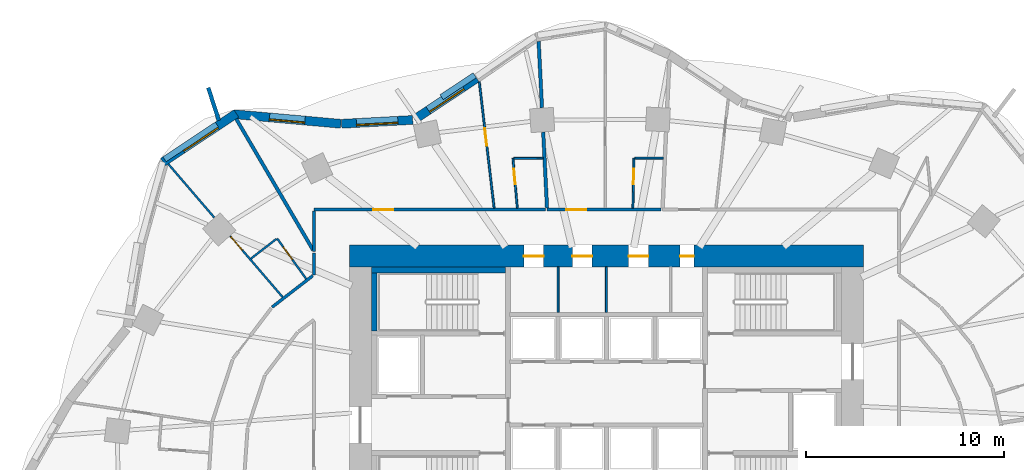
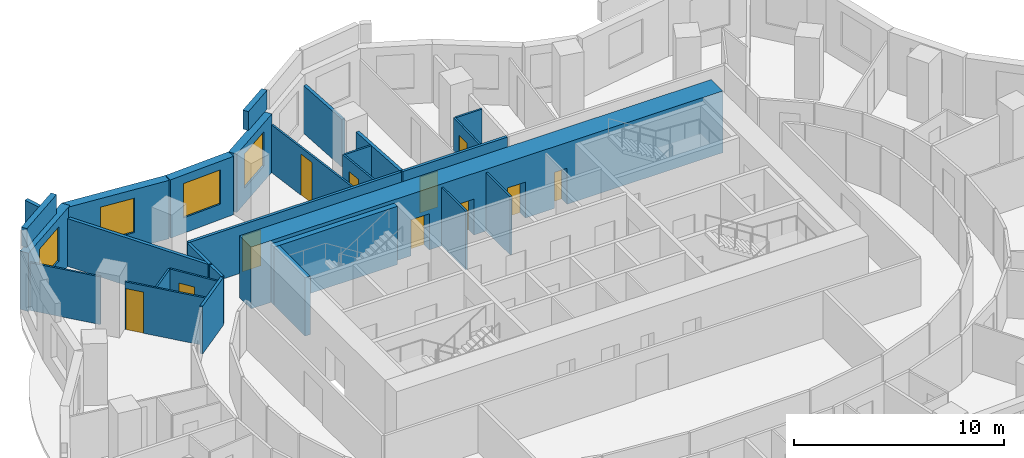
# One storey, part 8 of 11: 29 walls, 11 doors, 4 windows, 15 openings.
"""IFC4 building model written with IfcOpenShell, lengths in metres."""

from ifc_helpers import new_model, si_unit, direction, frame, frame_2d, origin, place, context, subcontext, project, spatial, rectangle, extrude, material, layer, layer_set, type_object, element, fill, save


model = new_model("IFC4")

# Units and contexts
model_context = context("Model", 3, precision=1e-05, world=origin(), true_north=direction((0.0, 1.0)))
body_context = subcontext(model_context, "Body", "Model", "MODEL_VIEW")
ifc_project = project(units=[si_unit("LENGTHUNIT", "METRE"), si_unit("AREAUNIT", "SQUARE_METRE"), si_unit("VOLUMEUNIT", "CUBIC_METRE"), si_unit("PLANEANGLEUNIT", "RADIAN"), si_unit("MASSUNIT", "GRAM", prefix="KILO")], contexts=[model_context])

# Site, building, storey
site_placement = place(None, origin())
site = spatial("IfcSite", under=ifc_project, at=site_placement, CompositionType="ELEMENT")
building_placement = place(site_placement, origin())
building = spatial("IfcBuilding", under=site, at=building_placement, Name="Rubra Terraces Tower", CompositionType="ELEMENT")
storey_placement = place(building_placement, frame((0.0, 0.0, 81.60009765625)))
storey = spatial("IfcBuildingStorey", under=building, at=storey_placement, Name="L18", CompositionType="ELEMENT", Elevation=81.60009765625)

# Walls
ifc_material_1 = material(Name="Twin plasterboard on staggered steel stud, acoustic mineral wool", Category="steel")
ifc_layer_1 = layer(ifc_material_1, 0.175048828125)
ifc_layer_set_1 = layer_set([ifc_layer_1], Name="Twin plasterboard on staggered steel stud, acoustic mineral wool")
wall_type_1 = type_object("IfcWallType", Name="ACOUSTIC PARTY WALL 175", PredefinedType="PARTITIONING", material=ifc_layer_set_1)
wall_1_placement = place(storey_placement, frame((-3.432861328125, 22.313232421875, 0.0), z_axis=(0.0, 0.0, 1.0), x_axis=(0.05046925348, -0.998725615198, 0.0)))
element("IfcWall", 1, at=wall_1_placement, inside=storey, type_object=wall_type_1, Name="PARTITION", PredefinedType="PARTITIONING", context=body_context, shape_type="SweptSolid", body=[
    extrude(rectangle(XDim=3.366943359375, YDim=0.175048828125, at=frame_2d((1.68359375, 0.0))), origin(), (0.0, 0.0, 1.0), 2.783935546875),
])
wall_2_placement = place(storey_placement, frame((-3.200439453125, 17.712158203125, 0.0), z_axis=(0.0, 0.0, 1.0), x_axis=(0.050454205139, -0.998726375532, 0.0)))
element("IfcWall", 2, at=wall_2_placement, inside=storey, type_object=wall_type_1, Name="PARTITION", PredefinedType="PARTITIONING", context=body_context, shape_type="SweptSolid", body=[
    extrude(rectangle(XDim=3.842041015625, YDim=0.175048828125, at=frame_2d((1.9208984375, 0.0))), origin(), (0.0, 0.0, 1.0), 2.783935546875),
])
wall_3_placement = place(storey_placement, frame((-18.730224609375, 18.383544921875, 0.0), z_axis=(0.0, 0.0, 1.0), x_axis=(0.505731710935, -0.862690811679, 0.0)))
element("IfcWall", 3, at=wall_3_placement, inside=storey, type_object=wall_type_1, Name="PARTITION", PredefinedType="PARTITIONING", context=body_context, shape_type="SweptSolid", body=[
    extrude(rectangle(XDim=7.696533203125, YDim=0.175048828125, at=frame_2d((3.84814453125, 0.0))), origin(), (0.0, 0.0, 1.0), 2.783935546875),
])

# Wall, opening, window
ifc_material_2 = material(Name="Brick masonry red-brown", Category="masonry")
ifc_layer_2 = layer(ifc_material_2, 0.449951171875)
ifc_layer_set_2 = layer_set([ifc_layer_2], Name="Brick masonry red-brown")
wall_type_2 = type_object("IfcWallType", Name="Brick facade wall 450", PredefinedType="SOLIDWALL", material=ifc_layer_set_2)
wall_4_placement = place(storey_placement, frame((-6.568115234375, 20.44140625, 0.0), z_axis=(0.0, 0.0, 1.0), x_axis=(-0.834034214531, -0.551712723246, 0.0)))
wall_4 = element("IfcWall", 4, at=wall_4_placement, inside=storey, type_object=wall_type_2, Name="Facade wall L18 bay 13", PredefinedType="SOLIDWALL", context=body_context, shape_type="SweptSolid", body=[
    extrude(rectangle(XDim=3.75732421875, YDim=0.449951171875, at=frame_2d((1.878662109375, 0.0))), origin(), (0.0, 0.0, 1.0), 3.39990234375),
])
opening_1_placement = place(wall_4_placement, frame((0.82861328125, 0.0, 0.89990234375)))
opening_1 = element("IfcOpeningElement", 5, at=opening_1_placement, cuts=wall_4, Name="Opening W1", PredefinedType="OPENING", context=body_context, shape_type="SweptSolid", body=[
    extrude(rectangle(XDim=2.10009765625, YDim=2.0, at=frame_2d((1.050048828125, 1.0))), frame((0.0, 0.23486328125, 0.0), z_axis=(0.0, -1.0, 0.0), x_axis=(1.0, 0.0, 0.0)), (0.0, 0.0, 1.0), 0.469970703125),
])
ifc_material_3 = material(Name="Clear glass in aluminium frame", Category="aluminium")
window_type_1 = type_object("IfcWindowType", Name="Fixed deep-set window 2100 x 2000", PartitioningType="SINGLE_PANEL", PredefinedType="WINDOW", material=ifc_material_3)
window_1_placement = place(opening_1_placement, origin())
window_1 = element("IfcWindow", 6, at=window_1_placement, inside=storey, type_object=window_type_1, Name="Window L18 bay 13", OverallHeight=2.0, OverallWidth=2.10009765625, PartitioningType="SINGLE_PANEL", PredefinedType="WINDOW", context=body_context, shape_type="SweptSolid", body=[
    extrude(rectangle(XDim=2.10009765625, YDim=2.0, at=frame_2d((1.050048828125, 1.0))), frame((0.0, 0.135009765625, 0.0), z_axis=(0.0, -1.0, 0.0), x_axis=(1.0, 0.0, 0.0)), (0.0, 0.0, 1.0), 0.06005859375),
])
fill(opening_1, window_1)

wall_5_placement = place(storey_placement, frame((-9.80322265625, 18.333740234375, 0.0), z_axis=(0.0, 0.0, 1.0), x_axis=(-0.998525941495, -0.054276552602, 0.0)))
wall_5 = element("IfcWall", 7, at=wall_5_placement, inside=storey, type_object=wall_type_2, Name="Facade wall L18 bay 14", PredefinedType="SOLIDWALL", context=body_context, shape_type="SweptSolid", body=[
    extrude(rectangle(XDim=3.60302734375, YDim=0.449951171875, at=frame_2d((1.801513671875, 0.0))), origin(), (0.0, 0.0, 1.0), 3.39990234375),
])
opening_2_placement = place(wall_5_placement, frame((0.75146484375, 0.0, 0.89990234375)))
opening_2 = element("IfcOpeningElement", 8, at=opening_2_placement, cuts=wall_5, Name="Opening W1", PredefinedType="OPENING", context=body_context, shape_type="SweptSolid", body=[
    extrude(rectangle(XDim=2.10009765625, YDim=2.0, at=frame_2d((1.050048828125, 1.0))), frame((0.0, 0.23486328125, 0.0), z_axis=(0.0, -1.0, 0.0), x_axis=(1.0, 0.0, 0.0)), (0.0, 0.0, 1.0), 0.469970703125),
])
window_2_placement = place(opening_2_placement, origin())
window_2 = element("IfcWindow", 9, at=window_2_placement, inside=storey, type_object=window_type_1, Name="Window L18 bay 14", OverallHeight=2.0, OverallWidth=2.10009765625, PartitioningType="SINGLE_PANEL", PredefinedType="WINDOW", context=body_context, shape_type="SweptSolid", body=[
    extrude(rectangle(XDim=2.10009765625, YDim=2.0, at=frame_2d((1.050048828125, 1.0))), frame((0.0, 0.135009765625, 0.0), z_axis=(0.0, -1.0, 0.0), x_axis=(1.0, 0.0, 0.0)), (0.0, 0.0, 1.0), 0.06005859375),
])
fill(opening_2, window_2)

wall_6_placement = place(storey_placement, frame((-13.435791015625, 18.1376953125, 0.0), z_axis=(0.0, 0.0, 1.0), x_axis=(-0.99598810213, 0.089485755376, 0.0)))
wall_6 = element("IfcWall", 10, at=wall_6_placement, inside=storey, type_object=wall_type_2, Name="Facade wall L18 bay 15", PredefinedType="SOLIDWALL", context=body_context, shape_type="SweptSolid", body=[
    extrude(rectangle(XDim=5.451171875, YDim=0.449951171875, at=frame_2d((2.7255859375, 0.0))), origin(), (0.0, 0.0, 1.0), 3.39990234375),
])
opening_3_placement = place(wall_6_placement, frame((1.825439453125, 0.0, 0.89990234375)))
opening_3 = element("IfcOpeningElement", 11, at=opening_3_placement, cuts=wall_6, Name="Opening W6", PredefinedType="OPENING", context=body_context, shape_type="SweptSolid", body=[
    extrude(rectangle(XDim=1.800048828125, YDim=2.0, at=frame_2d((0.89990234375, 1.0))), frame((0.0, 0.23486328125, 0.0), z_axis=(0.0, -1.0, 0.0), x_axis=(1.0, 0.0, 0.0)), (0.0, 0.0, 1.0), 0.469970703125),
])
window_type_2 = type_object("IfcWindowType", Name="Fixed deep-set window at wind fin 1800 x 2000", PartitioningType="SINGLE_PANEL", PredefinedType="WINDOW", material=ifc_material_3)
window_3_placement = place(opening_3_placement, origin())
window_3 = element("IfcWindow", 12, at=window_3_placement, inside=storey, type_object=window_type_2, Name="Window L18 bay 15", OverallHeight=2.0, OverallWidth=1.800048828125, PartitioningType="SINGLE_PANEL", PredefinedType="WINDOW", context=body_context, shape_type="SweptSolid", body=[
    extrude(rectangle(XDim=1.800048828125, YDim=2.0, at=frame_2d((0.89990234375, 1.0))), frame((0.0, 0.135009765625, 0.0), z_axis=(0.0, -1.0, 0.0), x_axis=(1.0, 0.0, 0.0)), (0.0, 0.0, 1.0), 0.06005859375),
])
fill(opening_3, window_3)

wall_7_placement = place(storey_placement, frame((-18.7255859375, 18.66259765625, 0.0), z_axis=(0.0, 0.0, 1.0), x_axis=(-0.83333921474, -0.552761931736, 0.0)))
wall_7 = element("IfcWall", 13, at=wall_7_placement, inside=storey, type_object=wall_type_2, Name="Facade wall L18 bay 16", PredefinedType="SOLIDWALL", context=body_context, shape_type="SweptSolid", body=[
    extrude(rectangle(XDim=4.45068359375, YDim=0.449951171875, at=frame_2d((2.225341796875, 0.0))), origin(), (0.0, 0.0, 1.0), 3.39990234375),
])
opening_4_placement = place(wall_7_placement, frame((1.17529296875, 0.0, 0.89990234375)))
opening_4 = element("IfcOpeningElement", 14, at=opening_4_placement, cuts=wall_7, Name="Opening W1", PredefinedType="OPENING", context=body_context, shape_type="SweptSolid", body=[
    extrude(rectangle(XDim=2.10009765625, YDim=2.0, at=frame_2d((1.050048828125, 1.0))), frame((0.0, 0.23486328125, 0.0), z_axis=(0.0, -1.0, 0.0), x_axis=(1.0, 0.0, 0.0)), (0.0, 0.0, 1.0), 0.469970703125),
])
window_4_placement = place(opening_4_placement, origin())
window_4 = element("IfcWindow", 15, at=window_4_placement, inside=storey, type_object=window_type_1, Name="Window L18 bay 16", OverallHeight=2.0, OverallWidth=2.10009765625, PartitioningType="SINGLE_PANEL", PredefinedType="WINDOW", context=body_context, shape_type="SweptSolid", body=[
    extrude(rectangle(XDim=2.10009765625, YDim=2.0, at=frame_2d((1.050048828125, 1.0))), frame((0.0, 0.135009765625, 0.0), z_axis=(0.0, -1.0, 0.0), x_axis=(1.0, 0.0, 0.0)), (0.0, 0.0, 1.0), 0.06005859375),
])
fill(opening_4, window_4)

# Walls
ifc_layer_3 = layer(ifc_material_2, 0.300048828125)
ifc_layer_set_3 = layer_set([ifc_layer_3], Name="Brick masonry red-brown")
wall_type_3 = type_object("IfcWallType", Name="Brick parapet 300", PredefinedType="PARAPET", material=ifc_layer_set_3)
wall_8_placement = place(storey_placement, frame((-6.665283203125, 20.593017578125, 3.599853515625), z_axis=(0.0, 0.0, 1.0), x_axis=(-0.834027642059, -0.551722658843, 0.0)))
element("IfcWall", 16, at=wall_8_placement, inside=storey, type_object=wall_type_3, Name="Parapet L18 bay 13", PredefinedType="PARAPET", context=body_context, shape_type="SweptSolid", body=[
    extrude(rectangle(XDim=2.008056640625, YDim=0.300048828125, at=frame_2d((1.00390625, 0.0))), origin(), (0.0, 0.0, 1.0), 1.10009765625),
])
wall_9_placement = place(storey_placement, frame((-19.70751953125, 18.101318359375, 3.599853515625), z_axis=(0.0, 0.0, 1.0), x_axis=(-0.833370664286, -0.552714515738, 0.0)))
element("IfcWall", 17, at=wall_9_placement, inside=storey, type_object=wall_type_3, Name="Parapet L18 bay 16", PredefinedType="PARAPET", context=body_context, shape_type="SweptSolid", body=[
    extrude(rectangle(XDim=3.180419921875, YDim=0.300048828125, at=frame_2d((1.59033203125, 0.0))), origin(), (0.0, 0.0, 1.0), 1.10009765625),
])
ifc_layer_4 = layer(ifc_material_2, 0.199951171875)
ifc_layer_set_4 = layer_set([ifc_layer_4], Name="Brick masonry red-brown")
wall_type_4 = type_object("IfcWallType", Name="Brick wind fin 200", PredefinedType="SOLIDWALL", material=ifc_layer_set_4)
wall_10_placement = place(storey_placement, frame((-19.60888671875, 18.304931640625, 0.0), z_axis=(0.0, 0.0, 1.0), x_axis=(-0.308600224758, 0.951191832008, 0.0)))
element("IfcWall", 18, at=wall_10_placement, inside=storey, type_object=wall_type_4, Name="Wind fin L18 10", PredefinedType="SOLIDWALL", context=body_context, shape_type="SweptSolid", body=[
    extrude(rectangle(XDim=1.75, YDim=0.199951171875, at=frame_2d((0.875, 0.0))), origin(), (0.0, 0.0, 1.0), 3.39990234375),
])

# Wall, openings, doors
ifc_material_4 = material(Name="Concrete C60", Category="concrete")
ifc_layer_5 = layer(ifc_material_4, 1.10009765625)
ifc_layer_set_5 = layer_set([ifc_layer_5], Name="Concrete C60")
wall_type_5 = type_object("IfcWallType", Name="CORE WALL 1100 C60", PredefinedType="SHEAR", material=ifc_layer_set_5)
wall_11_placement = place(storey_placement, frame((-13.0, 11.449951171875, 0.0), z_axis=(0.0, 0.0, 1.0), x_axis=(1.0, 0.0, 0.0)))
wall_11 = element("IfcWall", 19, at=wall_11_placement, inside=storey, type_object=wall_type_5, Name="CORE WALL N L18", PredefinedType="SHEAR", context=body_context, shape_type="SweptSolid", body=[
    extrude(rectangle(XDim=26.0, YDim=1.10009765625, at=frame_2d((13.0, 0.0))), origin(), (0.0, 0.0, 1.0), 3.599853515625),
])
opening_5_placement = place(wall_11_placement, frame((8.824951171875, 0.0, 0.0)))
opening_5 = element("IfcOpeningElement", 20, at=opening_5_placement, cuts=wall_11, Name="Opening L18.C23", PredefinedType="OPENING", context=body_context, shape_type="SweptSolid", body=[
    extrude(rectangle(XDim=1.0, YDim=2.10009765625, at=frame_2d((0.5, 1.050048828125))), frame((0.0, 0.56005859375, 0.0), z_axis=(0.0, -1.0, 0.0), x_axis=(1.0, 0.0, 0.0)), (0.0, 0.0, 1.0), 1.1201171875),
])
opening_6_placement = place(wall_11_placement, frame((11.27490234375, 0.0, 0.0)))
opening_6 = element("IfcOpeningElement", 21, at=opening_6_placement, cuts=wall_11, Name="Opening L18.C24", PredefinedType="OPENING", context=body_context, shape_type="SweptSolid", body=[
    extrude(rectangle(XDim=1.0, YDim=2.10009765625, at=frame_2d((0.5, 1.050048828125))), frame((0.0, 0.56005859375, 0.0), z_axis=(0.0, -1.0, 0.0), x_axis=(1.0, 0.0, 0.0)), (0.0, 0.0, 1.0), 1.1201171875),
])
opening_7_placement = place(wall_11_placement, frame((14.125, 0.0, 0.0)))
opening_7 = element("IfcOpeningElement", 22, at=opening_7_placement, cuts=wall_11, Name="Opening L18.C25", PredefinedType="OPENING", context=body_context, shape_type="SweptSolid", body=[
    extrude(rectangle(XDim=1.0, YDim=2.10009765625, at=frame_2d((0.5, 1.050048828125))), frame((0.0, 0.56005859375, 0.0), z_axis=(0.0, -1.0, 0.0), x_axis=(1.0, 0.0, 0.0)), (0.0, 0.0, 1.0), 1.1201171875),
])
opening_8_placement = place(wall_11_placement, frame((16.72509765625, 0.0, 0.0)))
opening_8 = element("IfcOpeningElement", 23, at=opening_8_placement, cuts=wall_11, Name="Opening L18.C26", PredefinedType="OPENING", context=body_context, shape_type="SweptSolid", body=[
    extrude(rectangle(XDim=0.699951171875, YDim=2.10009765625, at=frame_2d((0.35009765625, 1.050048828125))), frame((0.0, 0.56005859375, 0.0), z_axis=(0.0, -1.0, 0.0), x_axis=(1.0, 0.0, 0.0)), (0.0, 0.0, 1.0), 1.1201171875),
])
ifc_material_5 = material(Name="Painted steel", Category="steel")
door_type_1 = type_object("IfcDoorType", Name="Fire door 1000x2100 single", OperationType="NOTDEFINED", PredefinedType="DOOR", material=ifc_material_5)
door_1_placement = place(opening_5_placement, origin())
door_1 = element("IfcDoor", 24, at=door_1_placement, inside=storey, type_object=door_type_1, Name="Accessible WC door", OperationType="SINGLE_SWING_LEFT", OverallHeight=2.10009765625, OverallWidth=1.0, PredefinedType="DOOR", context=body_context, shape_type="SweptSolid", body=[
    extrude(rectangle(XDim=1.0, YDim=2.10009765625, at=frame_2d((0.5, 1.050048828125))), frame((0.0, 0.02490234375, 0.0), z_axis=(0.0, -1.0, 0.0), x_axis=(1.0, 0.0, 0.0)), (0.0, 0.0, 1.0), 0.050048828125),
])
fill(opening_5, door_1)
door_2_placement = place(opening_6_placement, origin())
door_2 = element("IfcDoor", 25, at=door_2_placement, inside=storey, type_object=door_type_1, Name="Linen store door", OperationType="SINGLE_SWING_RIGHT", OverallHeight=2.10009765625, OverallWidth=1.0, PredefinedType="DOOR", context=body_context, shape_type="SweptSolid", body=[
    extrude(rectangle(XDim=1.0, YDim=2.10009765625, at=frame_2d((0.5, 1.050048828125))), frame((0.0, 0.02490234375, 0.0), z_axis=(0.0, -1.0, 0.0), x_axis=(1.0, 0.0, 0.0)), (0.0, 0.0, 1.0), 0.050048828125),
])
fill(opening_6, door_2)
door_3_placement = place(opening_7_placement, origin())
door_3 = element("IfcDoor", 26, at=door_3_placement, inside=storey, type_object=door_type_1, Name="Guest pantry door", OperationType="SINGLE_SWING_LEFT", OverallHeight=2.10009765625, OverallWidth=1.0, PredefinedType="DOOR", context=body_context, shape_type="SweptSolid", body=[
    extrude(rectangle(XDim=1.0, YDim=2.10009765625, at=frame_2d((0.5, 1.050048828125))), frame((0.0, 0.02490234375, 0.0), z_axis=(0.0, -1.0, 0.0), x_axis=(1.0, 0.0, 0.0)), (0.0, 0.0, 1.0), 0.050048828125),
])
fill(opening_7, door_3)
door_type_2 = type_object("IfcDoorType", Name="Riser access door 700x2100 single", OperationType="NOTDEFINED", PredefinedType="DOOR", material=ifc_material_5)
door_4_placement = place(opening_8_placement, origin())
door_4 = element("IfcDoor", 27, at=door_4_placement, inside=storey, type_object=door_type_2, Name="Telecoms room door", OperationType="SINGLE_SWING_RIGHT", OverallHeight=2.10009765625, OverallWidth=0.699951171875, PredefinedType="DOOR", context=body_context, shape_type="SweptSolid", body=[
    extrude(rectangle(XDim=0.699951171875, YDim=2.10009765625, at=frame_2d((0.35009765625, 1.050048828125))), frame((0.0, 0.02490234375, 0.0), z_axis=(0.0, -1.0, 0.0), x_axis=(1.0, 0.0, 0.0)), (0.0, 0.0, 1.0), 0.050048828125),
])
fill(opening_8, door_4)

# Wall, opening, door
ifc_material_6 = material(Name="Plasterboard on steel stud, mineral wool infill", Category="steel")
ifc_layer_6 = layer(ifc_material_6, 0.14990234375)
ifc_layer_set_6 = layer_set([ifc_layer_6], Name="Plasterboard on steel stud, mineral wool infill")
wall_type_6 = type_object("IfcWallType", Name="CORRIDOR PARTITION 150", PredefinedType="PARTITIONING", material=ifc_layer_set_6)
wall_12_placement = place(storey_placement, frame((2.760498046875, 13.800048828125, 0.0), z_axis=(0.0, 0.0, 1.0), x_axis=(-1.0, 0.0, 0.0)))
wall_12 = element("IfcWall", 28, at=wall_12_placement, inside=storey, type_object=wall_type_6, Name="PARTITION", PredefinedType="PARTITIONING", context=body_context, shape_type="SweptSolid", body=[
    extrude(rectangle(XDim=5.76318359375, YDim=0.14990234375, at=frame_2d((2.881591796875, 0.0))), origin(), (0.0, 0.0, 1.0), 2.783935546875),
])
opening_9_placement = place(wall_12_placement, frame((3.791015625, 0.0, 0.0)))
opening_9 = element("IfcOpeningElement", 29, at=opening_9_placement, cuts=wall_12, Name="Opening 18-109", PredefinedType="OPENING", context=body_context, shape_type="SweptSolid", body=[
    extrude(rectangle(XDim=1.0, YDim=2.10009765625, at=frame_2d((0.5, 1.050048828125))), frame((0.0, 0.0849609375, 0.0), z_axis=(0.0, -1.0, 0.0), x_axis=(1.0, 0.0, 0.0)), (0.0, 0.0, 1.0), 0.169921875),
])
ifc_material_7 = material(Name="Painted timber door leaf", Category="wood")
door_type_3 = type_object("IfcDoorType", Name="ROOM DOOR 1000 X 2100", OperationType="SINGLE_SWING_LEFT", PredefinedType="DOOR", material=ifc_material_7)
door_5_placement = place(opening_9_placement, origin())
door_5 = element("IfcDoor", 30, at=door_5_placement, inside=storey, type_object=door_type_3, Name="DOOR 18-109", OperationType="SINGLE_SWING_RIGHT", OverallHeight=2.10009765625, OverallWidth=1.0, PredefinedType="DOOR", context=body_context, shape_type="SweptSolid", body=[
    extrude(rectangle(XDim=1.0, YDim=2.10009765625, at=frame_2d((0.5, 1.050048828125))), frame((0.0, 0.02490234375, 0.0), z_axis=(0.0, -1.0, 0.0), x_axis=(1.0, 0.0, 0.0)), (0.0, 0.0, 1.0), 0.050048828125),
])
fill(opening_9, door_5)

wall_13_placement = place(storey_placement, frame((-3.077880859375, 13.800048828125, 0.0), z_axis=(0.0, 0.0, 1.0), x_axis=(-1.0, 0.0, 0.0)))
wall_13 = element("IfcWall", 31, at=wall_13_placement, inside=storey, type_object=wall_type_6, Name="PARTITION", PredefinedType="PARTITIONING", context=body_context, shape_type="SweptSolid", body=[
    extrude(rectangle(XDim=11.72216796875, YDim=0.14990234375, at=frame_2d((5.861083984375, 0.0))), origin(), (0.0, 0.0, 1.0), 2.783935546875),
])
opening_10_placement = place(wall_13_placement, frame((7.718994140625, 0.0, 0.0)))
opening_10 = element("IfcOpeningElement", 32, at=opening_10_placement, cuts=wall_13, Name="Opening 18-112", PredefinedType="OPENING", context=body_context, shape_type="SweptSolid", body=[
    extrude(rectangle(XDim=1.0, YDim=2.10009765625, at=frame_2d((0.5, 1.050048828125))), frame((0.0, 0.0849609375, 0.0), z_axis=(0.0, -1.0, 0.0), x_axis=(1.0, 0.0, 0.0)), (0.0, 0.0, 1.0), 0.169921875),
])
door_6_placement = place(opening_10_placement, origin())
door_6 = element("IfcDoor", 33, at=door_6_placement, inside=storey, type_object=door_type_3, Name="DOOR 18-112", OperationType="SINGLE_SWING_RIGHT", OverallHeight=2.10009765625, OverallWidth=1.0, PredefinedType="DOOR", context=body_context, shape_type="SweptSolid", body=[
    extrude(rectangle(XDim=1.0, YDim=2.10009765625, at=frame_2d((0.5, 1.050048828125))), frame((0.0, 0.02490234375, 0.0), z_axis=(0.0, -1.0, 0.0), x_axis=(1.0, 0.0, 0.0)), (0.0, 0.0, 1.0), 0.050048828125),
])
fill(opening_10, door_6)

# Walls
wall_14_placement = place(storey_placement, frame((-14.800048828125, 13.72509765625, 0.0), z_axis=(0.0, 0.0, 1.0), x_axis=(0.0, -1.0, 0.0)))
element("IfcWall", 34, at=wall_14_placement, inside=storey, type_object=wall_type_6, Name="PARTITION", PredefinedType="PARTITIONING", context=body_context, shape_type="SweptSolid", body=[
    extrude(rectangle(XDim=2.0458984375, YDim=0.14990234375, at=frame_2d((1.02294921875, 0.0))), origin(), (0.0, 0.0, 1.0), 2.783935546875),
])
wall_15_placement = place(storey_placement, frame((-14.800048828125, 11.604248046875, 0.0), z_axis=(0.0, 0.0, 1.0), x_axis=(0.0, -1.0, 0.0)))
element("IfcWall", 35, at=wall_15_placement, inside=storey, type_object=wall_type_6, Name="PARTITION", PredefinedType="PARTITIONING", context=body_context, shape_type="SweptSolid", body=[
    extrude(rectangle(XDim=1.107421875, YDim=0.14990234375, at=frame_2d((0.5537109375, 0.0))), origin(), (0.0, 0.0, 1.0), 2.783935546875),
])
wall_16_placement = place(storey_placement, frame((-14.859619140625, 10.451171875, 0.0), z_axis=(0.0, 0.0, 1.0), x_axis=(-0.791542595332, -0.611113999001, 0.0)))
element("IfcWall", 36, at=wall_16_placement, inside=storey, type_object=wall_type_6, Name="PARTITION", PredefinedType="PARTITIONING", context=body_context, shape_type="SweptSolid", body=[
    extrude(rectangle(XDim=2.604736328125, YDim=0.14990234375, at=frame_2d((1.30224609375, 0.0))), origin(), (0.0, 0.0, 1.0), 2.783935546875),
])
ifc_material_8 = material(Name="Concrete C40", Category="concrete")
ifc_layer_7 = layer(ifc_material_8, 0.300048828125)
ifc_layer_set_7 = layer_set([ifc_layer_7], Name="Concrete C40")
wall_type_7 = type_object("IfcWallType", Name="Core lining wall 300 concrete", PredefinedType="SOLIDWALL", material=ifc_layer_set_7)
wall_17_placement = place(storey_placement, frame((-11.75, 7.64990234375, 0.0), z_axis=(0.0, 0.0, 1.0), x_axis=(0.0, 1.0, 0.0)))
element("IfcWall", 37, at=wall_17_placement, inside=storey, type_object=wall_type_7, Name="CORE LINING WALL L18", PredefinedType="SOLIDWALL", context=body_context, shape_type="SweptSolid", body=[
    extrude(rectangle(XDim=2.9501953125, YDim=0.300048828125, at=frame_2d((1.47509765625, 0.0))), origin(), (0.0, 0.0, 1.0), 3.39990234375),
])
wall_18_placement = place(storey_placement, frame((-11.89990234375, 10.75, 0.0), z_axis=(0.0, 0.0, 1.0), x_axis=(1.0, 0.0, 0.0)))
element("IfcWall", 38, at=wall_18_placement, inside=storey, type_object=wall_type_7, Name="CORE LINING WALL L18", PredefinedType="SOLIDWALL", context=body_context, shape_type="SweptSolid", body=[
    extrude(rectangle(XDim=6.7998046875, YDim=0.300048828125, at=frame_2d((3.39990234375, 0.0))), origin(), (0.0, 0.0, 1.0), 3.39990234375),
])

# Wall, opening, door
ifc_material_9 = material(Name="Plasterboard on steel stud", Category="steel")
ifc_layer_8 = layer(ifc_material_9, 0.10009765625)
ifc_layer_set_8 = layer_set([ifc_layer_8], Name="Plasterboard on steel stud")
wall_type_8 = type_object("IfcWallType", Name="ROOM PARTITION 100", PredefinedType="PARTITIONING", material=ifc_layer_set_8)
wall_19_placement = place(storey_placement, frame((1.337158203125, 13.875, 0.0), z_axis=(0.0, 0.0, 1.0), x_axis=(0.02165836135, 0.99976543018, 0.0)))
wall_19 = element("IfcWall", 39, at=wall_19_placement, inside=storey, type_object=wall_type_8, Name="PARTITION", PredefinedType="PARTITIONING", context=body_context, shape_type="SweptSolid", body=[
    extrude(rectangle(XDim=2.52490234375, YDim=0.10009765625, at=frame_2d((1.262451171875, 0.0))), origin(), (0.0, 0.0, 1.0), 2.783935546875),
])
opening_11_placement = place(wall_19_placement, frame((1.199951171875, 0.0, 0.0)))
opening_11 = element("IfcOpeningElement", 40, at=opening_11_placement, cuts=wall_19, Name="Opening 18-107", PredefinedType="OPENING", context=body_context, shape_type="SweptSolid", body=[
    extrude(rectangle(XDim=0.800048828125, YDim=2.10009765625, at=frame_2d((0.39990234375, 1.050048828125))), frame((0.0, 0.06005859375, 0.0), z_axis=(0.0, -1.0, 0.0), x_axis=(1.0, 0.0, 0.0)), (0.0, 0.0, 1.0), 0.1201171875),
])
door_type_4 = type_object("IfcDoorType", Name="BATHROOM DOOR 800 X 2100", OperationType="SINGLE_SWING_LEFT", PredefinedType="DOOR", material=ifc_material_7)
door_7_placement = place(opening_11_placement, origin())
door_7 = element("IfcDoor", 41, at=door_7_placement, inside=storey, type_object=door_type_4, Name="DOOR 18-107", OperationType="SINGLE_SWING_RIGHT", OverallHeight=2.10009765625, OverallWidth=0.800048828125, PredefinedType="DOOR", context=body_context, shape_type="SweptSolid", body=[
    extrude(rectangle(XDim=0.800048828125, YDim=2.10009765625, at=frame_2d((0.39990234375, 1.050048828125))), frame((0.0, 0.02490234375, 0.0), z_axis=(0.0, -1.0, 0.0), x_axis=(1.0, 0.0, 0.0)), (0.0, 0.0, 1.0), 0.050048828125),
])
fill(opening_11, door_7)

# Wall
wall_20_placement = place(storey_placement, frame((1.44189453125, 16.3994140625, 0.0), z_axis=(0.0, 0.0, 1.0), x_axis=(0.999999076661, -0.001358925193, 0.0)))
element("IfcWall", 42, at=wall_20_placement, inside=storey, type_object=wall_type_8, Name="PARTITION", PredefinedType="PARTITIONING", context=body_context, shape_type="SweptSolid", body=[
    extrude(rectangle(XDim=1.437255859375, YDim=0.10009765625, at=frame_2d((0.71875, 0.0))), origin(), (0.0, 0.0, 1.0), 2.783935546875),
])

# Wall, opening, door
wall_21_placement = place(storey_placement, frame((-6.433349609375, 20.256103515625, 0.0), z_axis=(0.0, 0.0, 1.0), x_axis=(0.116872110209, -0.993146972938, 0.0)))
wall_21 = element("IfcWall", 43, at=wall_21_placement, inside=storey, type_object=wall_type_8, Name="PARTITION", PredefinedType="PARTITIONING", context=body_context, shape_type="SweptSolid", body=[
    extrude(rectangle(XDim=6.425537109375, YDim=0.10009765625, at=frame_2d((3.212890625, 0.0))), origin(), (0.0, 0.0, 1.0), 2.783935546875),
])
opening_12_placement = place(wall_21_placement, frame((2.35107421875, 0.0, 0.0)))
opening_12 = element("IfcOpeningElement", 44, at=opening_12_placement, cuts=wall_21, Name="Opening 18-111", PredefinedType="OPENING", context=body_context, shape_type="SweptSolid", body=[
    extrude(rectangle(XDim=0.89990234375, YDim=2.39990234375, at=frame_2d((0.449951171875, 1.199951171875))), frame((0.0, 0.06005859375, 0.0), z_axis=(0.0, -1.0, 0.0), x_axis=(1.0, 0.0, 0.0)), (0.0, 0.0, 1.0), 0.1201171875),
])
ifc_material_10 = material(Name="Veneered timber door leaf, fire-rated", Category="wood")
door_type_5 = type_object("IfcDoorType", Name="SUITE ENTRANCE DOOR 900 X 2400", OperationType="SINGLE_SWING_LEFT", PredefinedType="DOOR", material=ifc_material_10)
door_8_placement = place(opening_12_placement, origin())
door_8 = element("IfcDoor", 45, at=door_8_placement, inside=storey, type_object=door_type_5, Name="DOOR 18-111", OperationType="SINGLE_SWING_LEFT", OverallHeight=2.39990234375, OverallWidth=0.89990234375, PredefinedType="DOOR", context=body_context, shape_type="SweptSolid", body=[
    extrude(rectangle(XDim=0.89990234375, YDim=2.39990234375, at=frame_2d((0.449951171875, 1.199951171875))), frame((0.0, 0.02490234375, 0.0), z_axis=(0.0, -1.0, 0.0), x_axis=(1.0, 0.0, 0.0)), (0.0, 0.0, 1.0), 0.050048828125),
])
fill(opening_12, door_8)

wall_22_placement = place(storey_placement, frame((-4.509521484375, 13.874755859375, 0.0), z_axis=(0.0, 0.0, 1.0), x_axis=(-0.087797863197, 0.996138311289, 0.0)))
wall_22 = element("IfcWall", 46, at=wall_22_placement, inside=storey, type_object=wall_type_8, Name="PARTITION", PredefinedType="PARTITIONING", context=body_context, shape_type="SweptSolid", body=[
    extrude(rectangle(XDim=2.52490234375, YDim=0.10009765625, at=frame_2d((1.262451171875, 0.0))), origin(), (0.0, 0.0, 1.0), 2.783935546875),
])
opening_13_placement = place(wall_22_placement, frame((1.199951171875, 0.0, 0.0)))
opening_13 = element("IfcOpeningElement", 47, at=opening_13_placement, cuts=wall_22, Name="Opening 18-110", PredefinedType="OPENING", context=body_context, shape_type="SweptSolid", body=[
    extrude(rectangle(XDim=0.800048828125, YDim=2.10009765625, at=frame_2d((0.39990234375, 1.050048828125))), frame((0.0, 0.06005859375, 0.0), z_axis=(0.0, -1.0, 0.0), x_axis=(1.0, 0.0, 0.0)), (0.0, 0.0, 1.0), 0.1201171875),
])
door_9_placement = place(opening_13_placement, origin())
door_9 = element("IfcDoor", 48, at=door_9_placement, inside=storey, type_object=door_type_4, Name="DOOR 18-110", OperationType="SINGLE_SWING_RIGHT", OverallHeight=2.10009765625, OverallWidth=0.800048828125, PredefinedType="DOOR", context=body_context, shape_type="SweptSolid", body=[
    extrude(rectangle(XDim=0.800048828125, YDim=2.10009765625, at=frame_2d((0.39990234375, 1.050048828125))), frame((0.0, 0.02490234375, 0.0), z_axis=(0.0, -1.0, 0.0), x_axis=(1.0, 0.0, 0.0)), (0.0, 0.0, 1.0), 0.050048828125),
])
fill(opening_13, door_9)

# Walls
wall_23_placement = place(storey_placement, frame((-4.68115234375, 16.39013671875, 0.0), z_axis=(0.0, 0.0, 1.0), x_axis=(0.99999070443, 0.004311734381, 0.0)))
element("IfcWall", 49, at=wall_23_placement, inside=storey, type_object=wall_type_8, Name="PARTITION", PredefinedType="PARTITIONING", context=body_context, shape_type="SweptSolid", body=[
    extrude(rectangle(XDim=1.47216796875, YDim=0.10009765625, at=frame_2d((0.736083984375, 0.0))), origin(), (0.0, 0.0, 1.0), 2.783935546875),
])
wall_24_placement = place(storey_placement, frame((-22.167236328125, 16.10400390625, 0.0), z_axis=(0.0, 0.0, 1.0), x_axis=(0.651585854712, -0.758574896724, 0.0)))
element("IfcWall", 50, at=wall_24_placement, inside=storey, type_object=wall_type_8, Name="PARTITION", PredefinedType="PARTITIONING", context=body_context, shape_type="SweptSolid", body=[
    extrude(rectangle(XDim=3.566650390625, YDim=0.10009765625, at=frame_2d((1.783203125, 0.0))), origin(), (0.0, 0.0, 1.0), 2.783935546875),
])

# Wall, opening, door
wall_25_placement = place(storey_placement, frame((-19.03515625, 12.457763671875, 0.0), z_axis=(0.0, 0.0, 1.0), x_axis=(0.651615806177, -0.758549168571, 0.0)))
wall_25 = element("IfcWall", 51, at=wall_25_placement, inside=storey, type_object=wall_type_8, Name="PARTITION", PredefinedType="PARTITIONING", context=body_context, shape_type="SweptSolid", body=[
    extrude(rectangle(XDim=4.07080078125, YDim=0.10009765625, at=frame_2d((2.035400390625, 0.0))), origin(), (0.0, 0.0, 1.0), 2.783935546875),
])
opening_14_placement = place(wall_25_placement, frame((0.04296875, 0.0, 0.0)))
opening_14 = element("IfcOpeningElement", 52, at=opening_14_placement, cuts=wall_25, Name="Opening 18-115", PredefinedType="OPENING", context=body_context, shape_type="SweptSolid", body=[
    extrude(rectangle(XDim=0.89990234375, YDim=2.39990234375, at=frame_2d((0.449951171875, 1.199951171875))), frame((0.0, 0.06005859375, 0.0), z_axis=(0.0, -1.0, 0.0), x_axis=(1.0, 0.0, 0.0)), (0.0, 0.0, 1.0), 0.1201171875),
])
door_10_placement = place(opening_14_placement, origin())
door_10 = element("IfcDoor", 53, at=door_10_placement, inside=storey, type_object=door_type_5, Name="DOOR 18-115", OperationType="SINGLE_SWING_LEFT", OverallHeight=2.39990234375, OverallWidth=0.89990234375, PredefinedType="DOOR", context=body_context, shape_type="SweptSolid", body=[
    extrude(rectangle(XDim=0.89990234375, YDim=2.39990234375, at=frame_2d((0.449951171875, 1.199951171875))), frame((0.0, 0.02490234375, 0.0), z_axis=(0.0, -1.0, 0.0), x_axis=(1.0, 0.0, 0.0)), (0.0, 0.0, 1.0), 0.050048828125),
])
fill(opening_14, door_10)

wall_26_placement = place(storey_placement, frame((-15.190185546875, 10.29052734375, 0.0), z_axis=(0.0, 0.0, 1.0), x_axis=(-0.583805380482, 0.81189363695, 0.0)))
wall_26 = element("IfcWall", 54, at=wall_26_placement, inside=storey, type_object=wall_type_8, Name="PARTITION", PredefinedType="PARTITIONING", context=body_context, shape_type="SweptSolid", body=[
    extrude(rectangle(XDim=2.52490234375, YDim=0.10009765625, at=frame_2d((1.262451171875, 0.0))), origin(), (0.0, 0.0, 1.0), 2.783935546875),
])
opening_15_placement = place(wall_26_placement, frame((1.199951171875, 0.0, 0.0)))
opening_15 = element("IfcOpeningElement", 55, at=opening_15_placement, cuts=wall_26, Name="Opening 18-113", PredefinedType="OPENING", context=body_context, shape_type="SweptSolid", body=[
    extrude(rectangle(XDim=0.800048828125, YDim=2.10009765625, at=frame_2d((0.39990234375, 1.050048828125))), frame((0.0, 0.06005859375, 0.0), z_axis=(0.0, -1.0, 0.0), x_axis=(1.0, 0.0, 0.0)), (0.0, 0.0, 1.0), 0.1201171875),
])
door_11_placement = place(opening_15_placement, origin())
door_11 = element("IfcDoor", 56, at=door_11_placement, inside=storey, type_object=door_type_4, Name="DOOR 18-113", OperationType="SINGLE_SWING_LEFT", OverallHeight=2.10009765625, OverallWidth=0.800048828125, PredefinedType="DOOR", context=body_context, shape_type="SweptSolid", body=[
    extrude(rectangle(XDim=0.800048828125, YDim=2.10009765625, at=frame_2d((0.39990234375, 1.050048828125))), frame((0.0, 0.02490234375, 0.0), z_axis=(0.0, -1.0, 0.0), x_axis=(1.0, 0.0, 0.0)), (0.0, 0.0, 1.0), 0.050048828125),
])
fill(opening_15, door_11)

# Walls
wall_27_placement = place(storey_placement, frame((-16.703857421875, 12.309814453125, 0.0), z_axis=(0.0, 0.0, 1.0), x_axis=(-0.790798809465, -0.612076174139, 0.0)))
element("IfcWall", 57, at=wall_27_placement, inside=storey, type_object=wall_type_8, Name="PARTITION", PredefinedType="PARTITIONING", context=body_context, shape_type="SweptSolid", body=[
    extrude(rectangle(XDim=1.624267578125, YDim=0.10009765625, at=frame_2d((0.81201171875, 0.0))), origin(), (0.0, 0.0, 1.0), 2.783935546875),
])
ifc_material_11 = material(Name="Blockwork", Category="masonry")
ifc_layer_9 = layer(ifc_material_11, 0.10009765625)
ifc_layer_set_9 = layer_set([ifc_layer_9], Name="Blockwork")
wall_type_9 = type_object("IfcWallType", Name="Service partition 100 blockwork", PredefinedType="PARTITIONING", material=ifc_layer_set_9)
for number, where, z_axis, x_axis, name in (
    (58, (-2.449951171875, 8.60009765625, 0.0), (0.0, 0.0, 1.0), (0.0, 1.0, 0.0), "SERVICE ROOM PARTITION L18"),
    (59, (0.0, 8.60009765625, 0.0), (0.0, 0.0, 1.0), (0.0, 1.0, 0.0), "SERVICE ROOM PARTITION L18"),
):
    element("IfcWall", number, at=place(storey_placement, frame(where, z_axis=z_axis, x_axis=x_axis)), inside=storey, type_object=wall_type_9, Name=name, PredefinedType="PARTITIONING", context=body_context, shape_type="SweptSolid", body=[
        extrude(rectangle(XDim=2.2998046875, YDim=0.10009765625, at=frame_2d((1.14990234375, 0.0))), origin(), (0.0, 0.0, 1.0), 3.39990234375),
    ])

save(model, "model.ifc")
